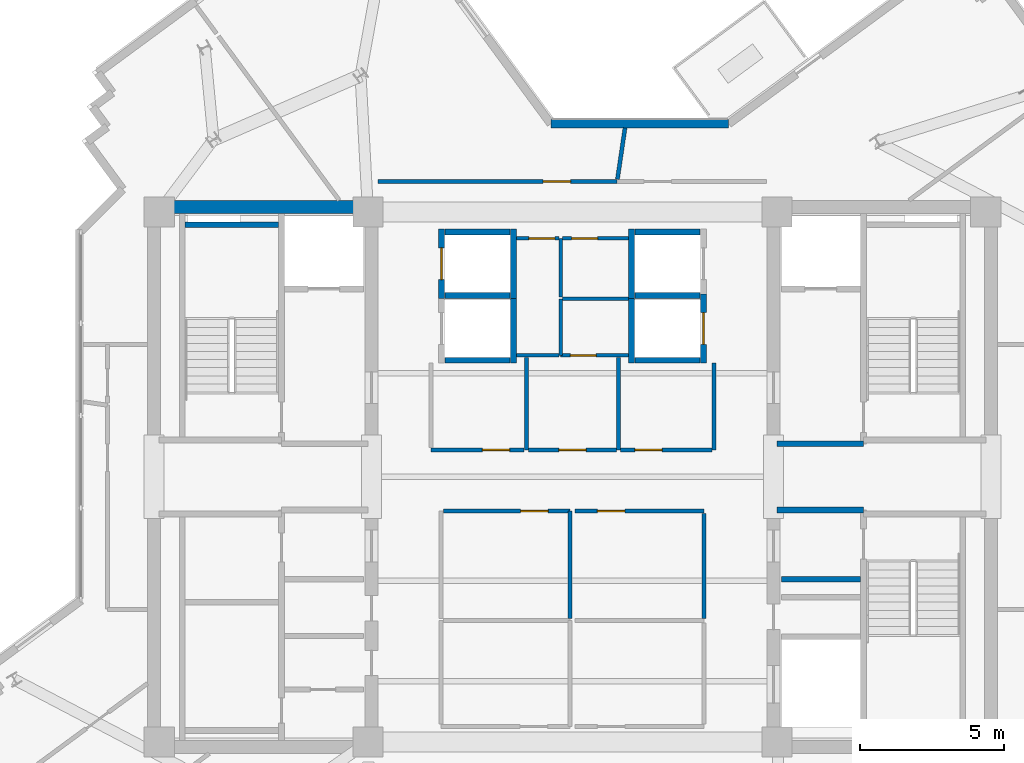
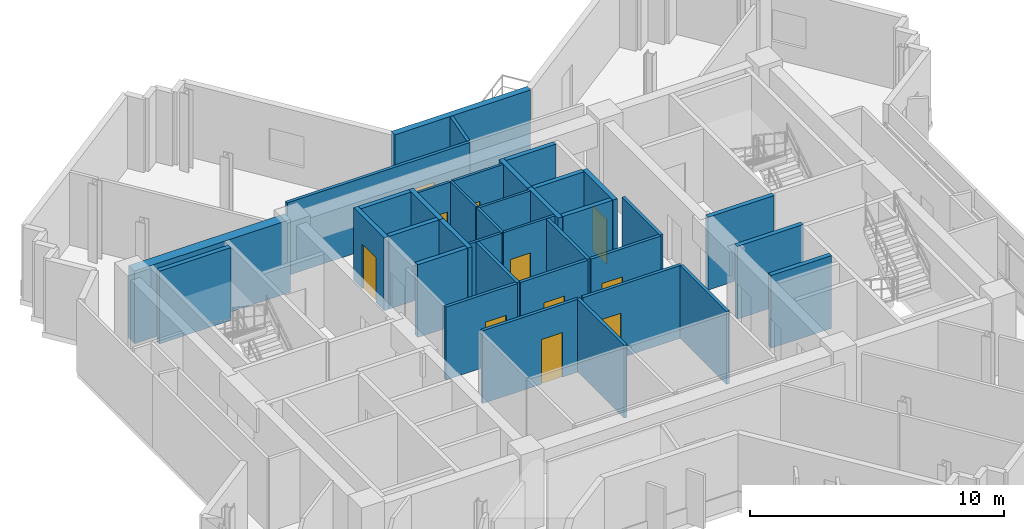
# One storey, part 8 of 13: 37 walls, 11 doors, 11 openings.
"""IFC4 building model written with IfcOpenShell, lengths in metres."""

from ifc_helpers import new_model, si_unit, direction, frame, frame_2d, origin, place, context, subcontext, project, spatial, rectangle, extrude, source, transform, mapped, material, layer, layer_set, type_object, element, fill, save


model = new_model("IFC4")

# Units and contexts
model_context = context("Model", 3, precision=1e-05, world=origin(), true_north=direction((0.0, 1.0)))
body_context = subcontext(model_context, "Body", "Model", "MODEL_VIEW")
ifc_project = project(units=[si_unit("LENGTHUNIT", "METRE"), si_unit("AREAUNIT", "SQUARE_METRE"), si_unit("VOLUMEUNIT", "CUBIC_METRE"), si_unit("PLANEANGLEUNIT", "RADIAN"), si_unit("MASSUNIT", "GRAM", prefix="KILO")], contexts=[model_context])

# Site, building, storey
site_placement = place(None, origin())
site = spatial("IfcSite", under=ifc_project, at=site_placement, CompositionType="ELEMENT")
building_placement = place(site_placement, origin())
building = spatial("IfcBuilding", under=site, at=building_placement, Name="Zahravan Cultural Tower", CompositionType="ELEMENT")
storey_placement = place(building_placement, frame((0.0, 0.0, 272.85009765625)))
storey = spatial("IfcBuildingStorey", under=building, at=storey_placement, Name="L65", CompositionType="ELEMENT", Elevation=272.85009765625)

# Wall, opening, door
ifc_material_1 = material(Name="Gypsum plasterboard partition")
ifc_layer_1 = layer(ifc_material_1, 0.139892578125)
ifc_layer_set_1 = layer_set([ifc_layer_1], Name="Gypsum plasterboard partition")
wall_type_1 = type_object("IfcWallType", Name="W-PART-140", PredefinedType="PARTITIONING", material=ifc_layer_set_1)
wall_1_placement = place(storey_placement, frame((37.52490234375, 27.93994140625, 0.0), z_axis=(0.0, 0.0, 1.0), x_axis=(-1.0, 0.0, 0.0)))
wall_1 = element("IfcWall", 1, at=wall_1_placement, inside=storey, type_object=wall_type_1, Name="L65 Interior Wall 053", PredefinedType="PARTITIONING", context=body_context, shape_type="SweptSolid", body=[
    extrude(rectangle(XDim=3.0498046875, YDim=0.139892578125, at=frame_2d((1.52490234375, 0.0))), origin(), (0.0, 0.0, 1.0), 3.5),
])
opening_1_placement = place(wall_1_placement, frame((1.050048828125, 0.0, 0.0)))
opening_1 = element("IfcOpeningElement", 2, at=opening_1_placement, cuts=wall_1, Name="Opening D-L65-21", PredefinedType="OPENING", context=body_context, shape_type="SweptSolid", body=[
    extrude(rectangle(XDim=0.949951171875, YDim=2.14990234375, at=frame_2d((0.47509765625, 1.074951171875))), frame((0.0, 0.079833984375, 0.0), z_axis=(0.0, -1.0, 0.0), x_axis=(1.0, 0.0, 0.0)), (0.0, 0.0, 1.0), 0.159912109375),
])
ifc_material_2 = material(Name="Anodised bronze-aluminium mullion", Category="aluminium")
door_type_1 = type_object("IfcDoorType", Name="DR-ROOM-950", OperationType="NOTDEFINED", PredefinedType="DOOR", material=ifc_material_2)
shared_shape_1 = source(origin(), body_context, "Body", "SweptSolid", [
    extrude(rectangle(XDim=0.949951171875, YDim=2.14990234375, at=frame_2d((0.47509765625, 1.074951171875))), frame((0.0, 0.02490234375, 0.0), z_axis=(0.0, -1.0, 0.0), x_axis=(1.0, 0.0, 0.0)), (0.0, 0.0, 1.0), 0.050048828125),
])
door_1_placement = place(opening_1_placement, origin())
door_1 = element("IfcDoor", 3, at=door_1_placement, inside=storey, type_object=door_type_1, Name="L65 Door D-L65-21", OperationType="SINGLE_SWING_RIGHT", OverallHeight=2.14990234375, OverallWidth=0.949951171875, PredefinedType="DOOR", context=body_context, shape_type="MappedRepresentation", body=[
    mapped(shared_shape_1, transform((0.0, 0.0, 0.0), x_axis=(1.0, 0.0, 0.0), y_axis=(0.0, 1.0, 0.0), z_axis=(0.0, 0.0, 1.0), scale=1.0)),
])
fill(opening_1, door_1)

wall_2_placement = place(storey_placement, frame((34.324951171875, 27.93994140625, 0.0), z_axis=(0.0, 0.0, 1.0), x_axis=(-1.0, 0.0, 0.0)))
wall_2 = element("IfcWall", 4, at=wall_2_placement, inside=storey, type_object=wall_type_1, Name="L65 Interior Wall 054", PredefinedType="PARTITIONING", context=body_context, shape_type="SweptSolid", body=[
    extrude(rectangle(XDim=3.244873046875, YDim=0.139892578125, at=frame_2d((1.62255859375, 0.0))), origin(), (0.0, 0.0, 1.0), 3.5),
])
opening_2_placement = place(wall_2_placement, frame((0.5048828125, 0.0, 0.0)))
opening_2 = element("IfcOpeningElement", 5, at=opening_2_placement, cuts=wall_2, Name="Opening D-L65-20", PredefinedType="OPENING", context=body_context, shape_type="SweptSolid", body=[
    extrude(rectangle(XDim=0.949951171875, YDim=2.14990234375, at=frame_2d((0.47509765625, 1.074951171875))), frame((0.0, 0.079833984375, 0.0), z_axis=(0.0, -1.0, 0.0), x_axis=(1.0, 0.0, 0.0)), (0.0, 0.0, 1.0), 0.159912109375),
])
door_2_placement = place(opening_2_placement, origin())
door_2 = element("IfcDoor", 6, at=door_2_placement, inside=storey, type_object=door_type_1, Name="L65 Door D-L65-20", OperationType="SINGLE_SWING_LEFT", OverallHeight=2.14990234375, OverallWidth=0.949951171875, PredefinedType="DOOR", context=body_context, shape_type="MappedRepresentation", body=[
    mapped(shared_shape_1, transform((0.0, 0.0, 0.0), x_axis=(1.0, 0.0, 0.0), y_axis=(0.0, 1.0, 0.0), z_axis=(0.0, 0.0, 1.0), scale=1.0)),
])
fill(opening_2, door_2)

wall_3_placement = place(storey_placement, frame((40.844970703125, 27.93994140625, 0.0), z_axis=(0.0, 0.0, 1.0), x_axis=(-1.0, 0.0, 0.0)))
wall_3 = element("IfcWall", 7, at=wall_3_placement, inside=storey, type_object=wall_type_1, Name="L65 Interior Wall 057", PredefinedType="PARTITIONING", context=body_context, shape_type="SweptSolid", body=[
    extrude(rectangle(XDim=3.169921875, YDim=0.139892578125, at=frame_2d((1.5849609375, 0.0))), origin(), (0.0, 0.0, 1.0), 3.5),
])
opening_3_placement = place(wall_3_placement, frame((1.731689453125, 0.0, 0.0)))
opening_3 = element("IfcOpeningElement", 8, at=opening_3_placement, cuts=wall_3, Name="Opening D-L65-22", PredefinedType="OPENING", context=body_context, shape_type="SweptSolid", body=[
    extrude(rectangle(XDim=0.949951171875, YDim=2.14990234375, at=frame_2d((0.47509765625, 1.074951171875))), frame((0.0, 0.079833984375, 0.0), z_axis=(0.0, -1.0, 0.0), x_axis=(1.0, 0.0, 0.0)), (0.0, 0.0, 1.0), 0.159912109375),
])
door_3_placement = place(opening_3_placement, origin())
door_3 = element("IfcDoor", 9, at=door_3_placement, inside=storey, type_object=door_type_1, Name="L65 Door D-L65-22", OperationType="SINGLE_SWING_LEFT", OverallHeight=2.14990234375, OverallWidth=0.949951171875, PredefinedType="DOOR", context=body_context, shape_type="MappedRepresentation", body=[
    mapped(shared_shape_1, transform((0.0, 0.0, 0.0), x_axis=(1.0, 0.0, 0.0), y_axis=(0.0, 1.0, 0.0), z_axis=(0.0, 0.0, 1.0), scale=1.0)),
])
fill(opening_3, door_3)

wall_4_placement = place(storey_placement, frame((31.514892578125, 25.81005859375, 0.0), z_axis=(0.0, 0.0, 1.0), x_axis=(1.0, 0.0, 0.0)))
wall_4 = element("IfcWall", 10, at=wall_4_placement, inside=storey, type_object=wall_type_1, Name="L65 Interior Wall 066", PredefinedType="PARTITIONING", context=body_context, shape_type="SweptSolid", body=[
    extrude(rectangle(XDim=4.39501953125, YDim=0.139892578125, at=frame_2d((2.197509765625, 0.0))), origin(), (0.0, 0.0, 1.0), 3.5),
])
opening_4_placement = place(wall_4_placement, frame((2.68701171875, 0.0, 0.0)))
opening_4 = element("IfcOpeningElement", 11, at=opening_4_placement, cuts=wall_4, Name="Opening D-L65-15", PredefinedType="OPENING", context=body_context, shape_type="SweptSolid", body=[
    extrude(rectangle(XDim=0.949951171875, YDim=2.14990234375, at=frame_2d((0.47509765625, 1.074951171875))), frame((0.0, 0.079833984375, 0.0), z_axis=(0.0, -1.0, 0.0), x_axis=(1.0, 0.0, 0.0)), (0.0, 0.0, 1.0), 0.159912109375),
])
door_4_placement = place(opening_4_placement, origin())
door_4 = element("IfcDoor", 12, at=door_4_placement, inside=storey, type_object=door_type_1, Name="L65 Door D-L65-15", OperationType="SINGLE_SWING_RIGHT", OverallHeight=2.14990234375, OverallWidth=0.949951171875, PredefinedType="DOOR", context=body_context, shape_type="MappedRepresentation", body=[
    mapped(shared_shape_1, transform((0.0, 0.0, 0.0), x_axis=(1.0, 0.0, 0.0), y_axis=(0.0, 1.0, 0.0), z_axis=(0.0, 0.0, 1.0), scale=1.0)),
])
fill(opening_4, door_4)

wall_5_placement = place(storey_placement, frame((36.090087890625, 25.81005859375, 0.0), z_axis=(0.0, 0.0, 1.0), x_axis=(1.0, 0.0, 0.0)))
wall_5 = element("IfcWall", 13, at=wall_5_placement, inside=storey, type_object=wall_type_1, Name="L65 Interior Wall 068", PredefinedType="PARTITIONING", context=body_context, shape_type="SweptSolid", body=[
    extrude(rectangle(XDim=4.469970703125, YDim=0.139892578125, at=frame_2d((2.23486328125, 0.0))), origin(), (0.0, 0.0, 1.0), 3.5),
])
opening_5_placement = place(wall_5_placement, frame((0.7744140625, 0.0, 0.0)))
opening_5 = element("IfcOpeningElement", 14, at=opening_5_placement, cuts=wall_5, Name="Opening D-L65-17", PredefinedType="OPENING", context=body_context, shape_type="SweptSolid", body=[
    extrude(rectangle(XDim=0.949951171875, YDim=2.14990234375, at=frame_2d((0.47509765625, 1.074951171875))), frame((0.0, 0.079833984375, 0.0), z_axis=(0.0, -1.0, 0.0), x_axis=(1.0, 0.0, 0.0)), (0.0, 0.0, 1.0), 0.159912109375),
])
door_5_placement = place(opening_5_placement, origin())
door_5 = element("IfcDoor", 15, at=door_5_placement, inside=storey, type_object=door_type_1, Name="L65 Door D-L65-17", OperationType="SINGLE_SWING_RIGHT", OverallHeight=2.14990234375, OverallWidth=0.949951171875, PredefinedType="DOOR", context=body_context, shape_type="MappedRepresentation", body=[
    mapped(shared_shape_1, transform((0.0, 0.0, 0.0), x_axis=(1.0, 0.0, 0.0), y_axis=(0.0, 1.0, 0.0), z_axis=(0.0, 0.0, 1.0), scale=1.0)),
])
fill(opening_5, door_5)

wall_6_placement = place(storey_placement, frame((37.55029296875, 37.260009765625, 0.0), z_axis=(0.0, 0.0, 1.0), x_axis=(-0.999999998268, -5.8852956e-05, 0.0)))
wall_6 = element("IfcWall", 16, at=wall_6_placement, inside=storey, type_object=wall_type_1, Name="L65 Interior Wall 103", PredefinedType="PARTITIONING", context=body_context, shape_type="SweptSolid", body=[
    extrude(rectangle(XDim=8.296630859375, YDim=0.139892578125, at=frame_2d((4.1484375, 0.0))), origin(), (0.0, 0.0, 1.0), 3.5),
])
opening_6_placement = place(wall_6_placement, frame((1.6162109375, 0.0, 0.0)))
opening_6 = element("IfcOpeningElement", 17, at=opening_6_placement, cuts=wall_6, Name="Opening D-L65-25", PredefinedType="OPENING", context=body_context, shape_type="SweptSolid", body=[
    extrude(rectangle(XDim=0.949951171875, YDim=2.14990234375, at=frame_2d((0.47509765625, 1.074951171875))), frame((0.0, 0.079833984375, 0.0), z_axis=(0.0, -1.0, 0.0), x_axis=(1.0, 0.0, 0.0)), (0.0, 0.0, 1.0), 0.159912109375),
])
door_6_placement = place(opening_6_placement, origin())
door_6 = element("IfcDoor", 18, at=door_6_placement, inside=storey, type_object=door_type_1, Name="L65 Door D-L65-25", OperationType="SINGLE_SWING_RIGHT", OverallHeight=2.14990234375, OverallWidth=0.949951171875, PredefinedType="DOOR", context=body_context, shape_type="MappedRepresentation", body=[
    mapped(shared_shape_1, transform((0.0, 0.0, 0.0), x_axis=(1.0, 0.0, 0.0), y_axis=(0.0, 1.0, 0.0), z_axis=(0.0, 0.0, 1.0), scale=1.0)),
])
fill(opening_6, door_6)

ifc_material_3 = material(Name="Concrete C45/55", Category="concrete")
ifc_layer_2 = layer(ifc_material_3, 0.199951171875)
ifc_layer_set_2 = layer_set([ifc_layer_2], Name="Concrete C45/55")
wall_type_2 = type_object("IfcWallType", Name="W-SHAFT-200", PredefinedType="SOLIDWALL", material=ifc_layer_set_2)
wall_7_placement = place(storey_placement, frame((31.449951171875, 33.199951171875, 0.0), z_axis=(0.0, 0.0, 1.0), x_axis=(0.0, 1.0, 0.0)))
wall_7 = element("IfcWall", 19, at=wall_7_placement, inside=storey, type_object=wall_type_2, Name="L65 Interior Wall 030", PredefinedType="SOLIDWALL", context=body_context, shape_type="SweptSolid", body=[
    extrude(rectangle(XDim=2.400146484375, YDim=0.199951171875, at=frame_2d((1.2001953125, 0.0))), origin(), (0.0, 0.0, 1.0), 3.5),
])
opening_7_placement = place(wall_7_placement, frame((0.64990234375, 0.0, 0.0)))
opening_7 = element("IfcOpeningElement", 20, at=opening_7_placement, cuts=wall_7, Name="Opening LD-L65-04", PredefinedType="OPENING", context=body_context, shape_type="SweptSolid", body=[
    extrude(rectangle(XDim=1.10009765625, YDim=2.14990234375, at=frame_2d((0.550048828125, 1.074951171875))), frame((0.0, 0.10986328125, 0.0), z_axis=(0.0, -1.0, 0.0), x_axis=(1.0, 0.0, 0.0)), (0.0, 0.0, 1.0), 0.219970703125),
])
ifc_material_4 = material(Name="Steel ASTM A572 Grade 50", Category="steel")
door_type_2 = type_object("IfcDoorType", Name="DR-LIFT-1100", OperationType="DOUBLE_DOOR_SLIDING", PredefinedType="DOOR", material=ifc_material_4)
shared_shape_2 = source(origin(), body_context, "Body", "SweptSolid", [
    extrude(rectangle(XDim=1.10009765625, YDim=2.14990234375, at=frame_2d((0.550048828125, 1.074951171875))), frame((0.0, 0.02490234375, 0.0), z_axis=(0.0, -1.0, 0.0), x_axis=(1.0, 0.0, 0.0)), (0.0, 0.0, 1.0), 0.050048828125),
])
door_7_placement = place(opening_7_placement, origin())
door_7 = element("IfcDoor", 21, at=door_7_placement, inside=storey, type_object=door_type_2, Name="L65 Door LD-L65-04", OperationType="DOUBLE_DOOR_SLIDING", OverallHeight=2.14990234375, OverallWidth=1.10009765625, PredefinedType="DOOR", context=body_context, shape_type="MappedRepresentation", body=[
    mapped(shared_shape_2, transform((0.0, 0.0, 0.0), x_axis=(1.0, 0.0, 0.0), y_axis=(0.0, 1.0, 0.0), z_axis=(0.0, 0.0, 1.0), scale=1.0)),
])
fill(opening_7, door_7)

wall_8_placement = place(storey_placement, frame((40.550048828125, 30.949951171875, 0.0), z_axis=(0.0, 0.0, 1.0), x_axis=(0.0, 1.0, 0.0)))
wall_8 = element("IfcWall", 22, at=wall_8_placement, inside=storey, type_object=wall_type_2, Name="L65 Interior Wall 042", PredefinedType="SOLIDWALL", context=body_context, shape_type="SweptSolid", body=[
    extrude(rectangle(XDim=2.400146484375, YDim=0.199951171875, at=frame_2d((1.2001953125, 0.0))), origin(), (0.0, 0.0, 1.0), 3.5),
])
opening_8_placement = place(wall_8_placement, frame((0.64990234375, 0.0, 0.0)))
opening_8 = element("IfcOpeningElement", 23, at=opening_8_placement, cuts=wall_8, Name="Opening LD-L65-07", PredefinedType="OPENING", context=body_context, shape_type="SweptSolid", body=[
    extrude(rectangle(XDim=1.10009765625, YDim=2.14990234375, at=frame_2d((0.550048828125, 1.074951171875))), frame((0.0, 0.10986328125, 0.0), z_axis=(0.0, -1.0, 0.0), x_axis=(1.0, 0.0, 0.0)), (0.0, 0.0, 1.0), 0.219970703125),
])
door_8_placement = place(opening_8_placement, origin())
door_8 = element("IfcDoor", 24, at=door_8_placement, inside=storey, type_object=door_type_2, Name="L65 Door LD-L65-07", OperationType="DOUBLE_DOOR_SLIDING", OverallHeight=2.14990234375, OverallWidth=1.10009765625, PredefinedType="DOOR", context=body_context, shape_type="MappedRepresentation", body=[
    mapped(shared_shape_2, transform((0.0, 0.0, 0.0), x_axis=(1.0, 0.0, 0.0), y_axis=(0.0, 1.0, 0.0), z_axis=(0.0, 0.0, 1.0), scale=1.0)),
])
fill(opening_8, door_8)

ifc_layer_3 = layer(ifc_material_1, 0.114990234375)
ifc_layer_set_3 = layer_set([ifc_layer_3], Name="Gypsum plasterboard partition")
wall_type_3 = type_object("IfcWallType", Name="W-WC-115", PredefinedType="PARTITIONING", material=ifc_layer_set_3)
wall_9_placement = place(storey_placement, frame((37.945068359375, 31.219970703125, 0.0), z_axis=(0.0, 0.0, 1.0), x_axis=(-1.0, 0.0, 0.0)))
wall_9 = element("IfcWall", 25, at=wall_9_placement, inside=storey, type_object=wall_type_3, Name="L65 Interior Wall 044", PredefinedType="PARTITIONING", context=body_context, shape_type="SweptSolid", body=[
    extrude(rectangle(XDim=2.35498046875, YDim=0.114990234375, at=frame_2d((1.177490234375, 0.0))), origin(), (0.0, 0.0, 1.0), 3.5),
])
opening_9_placement = place(wall_9_placement, frame((1.120849609375, 0.0, 0.0)))
opening_9 = element("IfcOpeningElement", 26, at=opening_9_placement, cuts=wall_9, Name="Opening D-L65-32", PredefinedType="OPENING", context=body_context, shape_type="SweptSolid", body=[
    extrude(rectangle(XDim=0.89990234375, YDim=2.10009765625, at=frame_2d((0.449951171875, 1.050048828125))), frame((0.0, 0.0673828125, 0.0), z_axis=(0.0, -1.0, 0.0), x_axis=(1.0, 0.0, 0.0)), (0.0, 0.0, 1.0), 0.135009765625),
])
door_type_3 = type_object("IfcDoorType", Name="DR-WC-900", OperationType="NOTDEFINED", PredefinedType="DOOR", material=ifc_material_2)
shared_shape_3 = source(origin(), body_context, "Body", "SweptSolid", [
    extrude(rectangle(XDim=0.89990234375, YDim=2.10009765625, at=frame_2d((0.449951171875, 1.050048828125))), frame((0.0, 0.02490234375, 0.0), z_axis=(0.0, -1.0, 0.0), x_axis=(1.0, 0.0, 0.0)), (0.0, 0.0, 1.0), 0.050048828125),
])
door_9_placement = place(opening_9_placement, origin())
door_9 = element("IfcDoor", 27, at=door_9_placement, inside=storey, type_object=door_type_3, Name="L65 Door D-L65-32", OperationType="SINGLE_SWING_LEFT", OverallHeight=2.10009765625, OverallWidth=0.89990234375, PredefinedType="DOOR", context=body_context, shape_type="MappedRepresentation", body=[
    mapped(shared_shape_3, transform((0.0, 0.0, 0.0), x_axis=(1.0, 0.0, 0.0), y_axis=(0.0, 1.0, 0.0), z_axis=(0.0, 0.0, 1.0), scale=1.0)),
])
fill(opening_9, door_9)

wall_10_placement = place(storey_placement, frame((35.652587890625, 35.280029296875, 0.0), z_axis=(0.0, 0.0, 1.0), x_axis=(1.0, 0.0, 0.0)))
wall_10 = element("IfcWall", 28, at=wall_10_placement, inside=storey, type_object=wall_type_3, Name="L65 Interior Wall 048", PredefinedType="PARTITIONING", context=body_context, shape_type="SweptSolid", body=[
    extrude(rectangle(XDim=2.29248046875, YDim=0.114990234375, at=frame_2d((1.146240234375, 0.0))), origin(), (0.0, 0.0, 1.0), 3.5),
])
opening_10_placement = place(wall_10_placement, frame((0.3203125, 0.0, 0.0)))
opening_10 = element("IfcOpeningElement", 29, at=opening_10_placement, cuts=wall_10, Name="Opening D-L65-19", PredefinedType="OPENING", context=body_context, shape_type="SweptSolid", body=[
    extrude(rectangle(XDim=0.89990234375, YDim=2.10009765625, at=frame_2d((0.449951171875, 1.050048828125))), frame((0.0, 0.0673828125, 0.0), z_axis=(0.0, -1.0, 0.0), x_axis=(1.0, 0.0, 0.0)), (0.0, 0.0, 1.0), 0.135009765625),
])
door_10_placement = place(opening_10_placement, origin())
door_10 = element("IfcDoor", 30, at=door_10_placement, inside=storey, type_object=door_type_3, Name="L65 Door D-L65-19", OperationType="SINGLE_SWING_RIGHT", OverallHeight=2.10009765625, OverallWidth=0.89990234375, PredefinedType="DOOR", context=body_context, shape_type="MappedRepresentation", body=[
    mapped(shared_shape_3, transform((0.0, 0.0, 0.0), x_axis=(1.0, 0.0, 0.0), y_axis=(0.0, 1.0, 0.0), z_axis=(0.0, 0.0, 1.0), scale=1.0)),
])
fill(opening_10, door_10)

wall_11_placement = place(storey_placement, frame((34.054931640625, 35.280029296875, 0.0), z_axis=(0.0, 0.0, 1.0), x_axis=(1.0, 0.0, 0.0)))
wall_11 = element("IfcWall", 31, at=wall_11_placement, inside=storey, type_object=wall_type_3, Name="L65 Interior Wall 050", PredefinedType="PARTITIONING", context=body_context, shape_type="SweptSolid", body=[
    extrude(rectangle(XDim=1.47265625, YDim=0.114990234375, at=frame_2d((0.736328125, 0.0))), origin(), (0.0, 0.0, 1.0), 3.5),
])
opening_11_placement = place(wall_11_placement, frame((0.4326171875, 0.0, 0.0)))
opening_11 = element("IfcOpeningElement", 32, at=opening_11_placement, cuts=wall_11, Name="Opening D-L65-18", PredefinedType="OPENING", context=body_context, shape_type="SweptSolid", body=[
    extrude(rectangle(XDim=0.89990234375, YDim=2.10009765625, at=frame_2d((0.449951171875, 1.050048828125))), frame((0.0, 0.0673828125, 0.0), z_axis=(0.0, -1.0, 0.0), x_axis=(1.0, 0.0, 0.0)), (0.0, 0.0, 1.0), 0.135009765625),
])
door_11_placement = place(opening_11_placement, origin())
door_11 = element("IfcDoor", 33, at=door_11_placement, inside=storey, type_object=door_type_3, Name="L65 Door D-L65-18", OperationType="SINGLE_SWING_LEFT", OverallHeight=2.10009765625, OverallWidth=0.89990234375, PredefinedType="DOOR", context=body_context, shape_type="MappedRepresentation", body=[
    mapped(shared_shape_3, transform((0.0, 0.0, 0.0), x_axis=(1.0, 0.0, 0.0), y_axis=(0.0, 1.0, 0.0), z_axis=(0.0, 0.0, 1.0), scale=1.0)),
])
fill(opening_11, door_11)

# Walls
ifc_material_5 = material(Name="Concrete C50/60", Category="concrete")
ifc_layer_4 = layer(ifc_material_5, 0.449951171875)
ifc_layer_set_4 = layer_set([ifc_layer_4], Name="Concrete C50/60")
wall_type_4 = type_object("IfcWallType", Name="CW-SHEAR-450-C50", PredefinedType="SHEAR", material=ifc_layer_set_4)
shared_shape_4 = source(origin(), body_context, "Body", "SweptSolid", [
    extrude(rectangle(XDim=7.10009765625, YDim=0.449951171875, at=frame_2d((3.550048828125, 0.0))), origin(), (0.0, 0.0, 1.0), 3.5),
])
wall_12_placement = place(storey_placement, frame((21.699951171875, 36.375, 0.0), z_axis=(0.0, 0.0, 1.0), x_axis=(1.0, 0.0, 0.0)))
element("IfcWall", 34, at=wall_12_placement, inside=storey, type_object=wall_type_4, Name="L65 Core Shear Wall CW-W-N-L65", PredefinedType="SHEAR", context=body_context, shape_type="MappedRepresentation", body=[
    mapped(shared_shape_4, transform((0.0, 0.0, 0.0), x_axis=(1.0, 0.0, 0.0), y_axis=(0.0, 1.0, 0.0), z_axis=(0.0, 0.0, 1.0), scale=1.0)),
])
ifc_material_6 = material(Name="Precast concrete C40/50", Category="concrete")
ifc_layer_5 = layer(ifc_material_6, 0.280029296875)
ifc_layer_set_5 = layer_set([ifc_layer_5], Name="Precast concrete C40/50")
wall_type_5 = type_object("IfcWallType", Name="EW-TC-280", PredefinedType="SOLIDWALL", material=ifc_layer_set_5)
shared_shape_5 = source(origin(), body_context, "Body", "SweptSolid", [
    extrude(rectangle(XDim=6.176513671875, YDim=0.280029296875, at=frame_2d((3.08837890625, 0.0))), origin(), (0.0, 0.0, 1.0), 3.5),
])
wall_13_placement = place(storey_placement, frame((35.24658203125, 39.260009765625, 0.0), z_axis=(0.0, 0.0, 1.0), x_axis=(1.0, 0.0, 0.0)))
element("IfcWall", 35, at=wall_13_placement, inside=storey, type_object=wall_type_5, Name="L65 Exterior Masonry Frame Wall 48", PredefinedType="SOLIDWALL", context=body_context, shape_type="MappedRepresentation", body=[
    mapped(shared_shape_5, transform((0.0, 0.0, 0.0), x_axis=(1.0, 0.0, 0.0), y_axis=(0.0, 1.0, 0.0), z_axis=(0.0, 0.0, 1.0), scale=1.0)),
])
shared_shape_6 = source(origin(), body_context, "Body", "SweptSolid", [
    extrude(rectangle(XDim=3.0, YDim=0.199951171875, at=frame_2d((1.5, 0.0))), origin(), (0.0, 0.0, 1.0), 3.5),
])
for number, where, z_axis, x_axis, name in (
    (36, (43.10009765625, 25.85009765625, 0.0), (0.0, 0.0, 1.0), (1.0, 0.0, 0.0), "L65 Interior Wall 013"),
    (37, (43.10009765625, 28.14990234375, 0.0), (0.0, 0.0, 1.0), (1.0, 0.0, 0.0), "L65 Interior Wall 015"),
):
    element("IfcWall", number, at=place(storey_placement, frame(where, z_axis=z_axis, x_axis=x_axis)), inside=storey, type_object=wall_type_2, Name=name, PredefinedType="SOLIDWALL", context=body_context, shape_type="MappedRepresentation", body=[
        mapped(shared_shape_6, transform((0.0, 0.0, 0.0), x_axis=(1.0, 0.0, 0.0), y_axis=(0.0, 1.0, 0.0), z_axis=(0.0, 0.0, 1.0), scale=1.0)),
    ])
shared_shape_7 = source(origin(), body_context, "Body", "SweptSolid", [
    extrude(rectangle(XDim=3.25, YDim=0.199951171875, at=frame_2d((1.625, 0.0))), origin(), (0.0, 0.0, 1.0), 3.5),
])
wall_14_placement = place(storey_placement, frame((22.550048828125, 35.75, 0.0), z_axis=(0.0, 0.0, 1.0), x_axis=(1.0, 0.0, 0.0)))
element("IfcWall", 38, at=wall_14_placement, inside=storey, type_object=wall_type_2, Name="L65 Interior Wall 017", PredefinedType="SOLIDWALL", context=body_context, shape_type="MappedRepresentation", body=[
    mapped(shared_shape_7, transform((0.0, 0.0, 0.0), x_axis=(1.0, 0.0, 0.0), y_axis=(0.0, 1.0, 0.0), z_axis=(0.0, 0.0, 1.0), scale=1.0)),
])
shared_shape_8 = source(origin(), body_context, "Body", "SweptSolid", [
    extrude(rectangle(XDim=2.75, YDim=0.199951171875, at=frame_2d((1.375, 0.0))), origin(), (0.0, 0.0, 1.0), 3.5),
])
wall_15_placement = place(storey_placement, frame((43.25, 23.449951171875, 0.0), z_axis=(0.0, 0.0, 1.0), x_axis=(1.0, 0.0, 0.0)))
element("IfcWall", 39, at=wall_15_placement, inside=storey, type_object=wall_type_2, Name="L65 Interior Wall 025", PredefinedType="SOLIDWALL", context=body_context, shape_type="MappedRepresentation", body=[
    mapped(shared_shape_8, transform((0.0, 0.0, 0.0), x_axis=(1.0, 0.0, 0.0), y_axis=(0.0, 1.0, 0.0), z_axis=(0.0, 0.0, 1.0), scale=1.0)),
])
shared_shape_9 = source(origin(), body_context, "Body", "SweptSolid", [
    extrude(rectangle(XDim=2.400146484375, YDim=0.199951171875, at=frame_2d((1.2001953125, 0.0))), origin(), (0.0, 0.0, 1.0), 3.5),
])
for number, where, z_axis, x_axis, name in (
    (40, (33.949951171875, 33.199951171875, 0.0), (0.0, 0.0, 1.0), (0.0, 1.0, 0.0), "L65 Interior Wall 031"),
    (41, (33.949951171875, 30.949951171875, 0.0), (0.0, 0.0, 1.0), (0.0, 1.0, 0.0), "L65 Interior Wall 035"),
    (42, (38.050048828125, 33.199951171875, 0.0), (0.0, 0.0, 1.0), (0.0, 1.0, 0.0), "L65 Interior Wall 037"),
    (43, (38.050048828125, 30.949951171875, 0.0), (0.0, 0.0, 1.0), (0.0, 1.0, 0.0), "L65 Interior Wall 041"),
):
    element("IfcWall", number, at=place(storey_placement, frame(where, z_axis=z_axis, x_axis=x_axis)), inside=storey, type_object=wall_type_2, Name=name, PredefinedType="SOLIDWALL", context=body_context, shape_type="MappedRepresentation", body=[
        mapped(shared_shape_9, transform((0.0, 0.0, 0.0), x_axis=(1.0, 0.0, 0.0), y_axis=(0.0, 1.0, 0.0), z_axis=(0.0, 0.0, 1.0), scale=1.0)),
    ])
shared_shape_10 = source(origin(), body_context, "Body", "SweptSolid", [
    extrude(rectangle(XDim=2.260009765625, YDim=0.199951171875, at=frame_2d((1.1298828125, 0.0))), origin(), (0.0, 0.0, 1.0), 3.5),
])
for number, where, z_axis, x_axis, name in (
    (44, (31.570068359375, 33.300048828125, 0.0), (0.0, 0.0, 1.0), (1.0, 0.0, 0.0), "L65 Interior Wall 032"),
    (45, (31.570068359375, 35.5, 0.0), (0.0, 0.0, 1.0), (1.0, 0.0, 0.0), "L65 Interior Wall 033"),
    (46, (31.570068359375, 31.050048828125, 0.0), (0.0, 0.0, 1.0), (1.0, 0.0, 0.0), "L65 Interior Wall 036"),
    (47, (38.169921875, 33.300048828125, 0.0), (0.0, 0.0, 1.0), (1.0, 0.0, 0.0), "L65 Interior Wall 039"),
    (48, (38.169921875, 35.5, 0.0), (0.0, 0.0, 1.0), (1.0, 0.0, 0.0), "L65 Interior Wall 040"),
    (49, (38.169921875, 31.050048828125, 0.0), (0.0, 0.0, 1.0), (1.0, 0.0, 0.0), "L65 Interior Wall 043"),
):
    element("IfcWall", number, at=place(storey_placement, frame(where, z_axis=z_axis, x_axis=x_axis)), inside=storey, type_object=wall_type_2, Name=name, PredefinedType="SOLIDWALL", context=body_context, shape_type="MappedRepresentation", body=[
        mapped(shared_shape_10, transform((0.0, 0.0, 0.0), x_axis=(1.0, 0.0, 0.0), y_axis=(0.0, 1.0, 0.0), z_axis=(0.0, 0.0, 1.0), scale=1.0)),
    ])
shared_shape_11 = source(origin(), body_context, "Body", "SweptSolid", [
    extrude(rectangle(XDim=1.9599609375, YDim=0.114990234375, at=frame_2d((0.97998046875, 0.0))), origin(), (0.0, 0.0, 1.0), 3.5),
])
wall_16_placement = place(storey_placement, frame((35.590087890625, 31.219970703125, 0.0), z_axis=(0.0, 0.0, 1.0), x_axis=(0.0, 1.0, 0.0)))
element("IfcWall", 50, at=wall_16_placement, inside=storey, type_object=wall_type_3, Name="L65 Interior Wall 045", PredefinedType="PARTITIONING", context=body_context, shape_type="MappedRepresentation", body=[
    mapped(shared_shape_11, transform((0.0, 0.0, 0.0), x_axis=(1.0, 0.0, 0.0), y_axis=(0.0, 1.0, 0.0), z_axis=(0.0, 0.0, 1.0), scale=1.0)),
])
shared_shape_12 = source(origin(), body_context, "Body", "SweptSolid", [
    extrude(rectangle(XDim=2.29248046875, YDim=0.114990234375, at=frame_2d((1.146240234375, 0.0))), origin(), (0.0, 0.0, 1.0), 3.5),
])
wall_17_placement = place(storey_placement, frame((35.652587890625, 33.179931640625, 0.0), z_axis=(0.0, 0.0, 1.0), x_axis=(1.0, 0.0, 0.0)))
element("IfcWall", 51, at=wall_17_placement, inside=storey, type_object=wall_type_3, Name="L65 Interior Wall 046", PredefinedType="PARTITIONING", context=body_context, shape_type="MappedRepresentation", body=[
    mapped(shared_shape_12, transform((0.0, 0.0, 0.0), x_axis=(1.0, 0.0, 0.0), y_axis=(0.0, 1.0, 0.0), z_axis=(0.0, 0.0, 1.0), scale=1.0)),
])
shared_shape_13 = source(origin(), body_context, "Body", "SweptSolid", [
    extrude(rectangle(XDim=2.0400390625, YDim=0.114990234375, at=frame_2d((1.02001953125, 0.0))), origin(), (0.0, 0.0, 1.0), 3.5),
])
wall_18_placement = place(storey_placement, frame((35.590087890625, 33.239990234375, 0.0), z_axis=(0.0, 0.0, 1.0), x_axis=(0.0, 1.0, 0.0)))
element("IfcWall", 52, at=wall_18_placement, inside=storey, type_object=wall_type_3, Name="L65 Interior Wall 047", PredefinedType="PARTITIONING", context=body_context, shape_type="MappedRepresentation", body=[
    mapped(shared_shape_13, transform((0.0, 0.0, 0.0), x_axis=(1.0, 0.0, 0.0), y_axis=(0.0, 1.0, 0.0), z_axis=(0.0, 0.0, 1.0), scale=1.0)),
])
shared_shape_14 = source(origin(), body_context, "Body", "SweptSolid", [
    extrude(rectangle(XDim=1.47265625, YDim=0.114990234375, at=frame_2d((0.736328125, 0.0))), origin(), (0.0, 0.0, 1.0), 3.5),
])
wall_19_placement = place(storey_placement, frame((35.527587890625, 31.219970703125, 0.0), z_axis=(0.0, 0.0, 1.0), x_axis=(-1.0, 0.0, 0.0)))
element("IfcWall", 53, at=wall_19_placement, inside=storey, type_object=wall_type_3, Name="L65 Interior Wall 049", PredefinedType="PARTITIONING", context=body_context, shape_type="MappedRepresentation", body=[
    mapped(shared_shape_14, transform((0.0, 0.0, 0.0), x_axis=(1.0, 0.0, 0.0), y_axis=(0.0, 1.0, 0.0), z_axis=(0.0, 0.0, 1.0), scale=1.0)),
])
shared_shape_15 = source(origin(), body_context, "Body", "SweptSolid", [
    extrude(rectangle(XDim=3.010009765625, YDim=0.139892578125, at=frame_2d((1.5048828125, 0.0))), origin(), (0.0, 0.0, 1.0), 3.5),
])
wall_20_placement = place(storey_placement, frame((40.919921875, 30.949951171875, 0.0), z_axis=(0.0, 0.0, 1.0), x_axis=(0.0, -1.0, 0.0)))
element("IfcWall", 54, at=wall_20_placement, inside=storey, type_object=wall_type_1, Name="L65 Interior Wall 056", PredefinedType="PARTITIONING", context=body_context, shape_type="MappedRepresentation", body=[
    mapped(shared_shape_15, transform((0.0, 0.0, 0.0), x_axis=(1.0, 0.0, 0.0), y_axis=(0.0, 1.0, 0.0), z_axis=(0.0, 0.0, 1.0), scale=1.0)),
])
shared_shape_16 = source(origin(), body_context, "Body", "SweptSolid", [
    extrude(rectangle(XDim=3.199951171875, YDim=0.139892578125, at=frame_2d((1.60009765625, 0.0))), origin(), (0.0, 0.0, 1.0), 3.5),
])
for number, where, z_axis, x_axis, name in (
    (55, (34.39990234375, 27.93994140625, 0.0), (0.0, 0.0, 1.0), (0.0, 1.0, 0.0), "L65 Interior Wall 051"),
    (56, (37.60009765625, 31.139892578125, 0.0), (0.0, 0.0, 1.0), (0.0, -1.0, 0.0), "L65 Interior Wall 052"),
):
    element("IfcWall", number, at=place(storey_placement, frame(where, z_axis=z_axis, x_axis=x_axis)), inside=storey, type_object=wall_type_1, Name=name, PredefinedType="PARTITIONING", context=body_context, shape_type="MappedRepresentation", body=[
        mapped(shared_shape_16, transform((0.0, 0.0, 0.0), x_axis=(1.0, 0.0, 0.0), y_axis=(0.0, 1.0, 0.0), z_axis=(0.0, 0.0, 1.0), scale=1.0)),
    ])
shared_shape_17 = source(origin(), body_context, "Body", "SweptSolid", [
    extrude(rectangle(XDim=3.719970703125, YDim=0.139892578125, at=frame_2d((1.85986328125, 0.0))), origin(), (0.0, 0.0, 1.0), 3.5),
])
wall_21_placement = place(storey_placement, frame((35.909912109375, 25.81005859375, 0.0), z_axis=(0.0, 0.0, 1.0), x_axis=(0.0, -1.0, 0.0)))
element("IfcWall", 57, at=wall_21_placement, inside=storey, type_object=wall_type_1, Name="L65 Interior Wall 067", PredefinedType="PARTITIONING", context=body_context, shape_type="MappedRepresentation", body=[
    mapped(shared_shape_17, transform((0.0, 0.0, 0.0), x_axis=(1.0, 0.0, 0.0), y_axis=(0.0, 1.0, 0.0), z_axis=(0.0, 0.0, 1.0), scale=1.0)),
])
shared_shape_18 = source(origin(), body_context, "Body", "SweptSolid", [
    extrude(rectangle(XDim=3.64501953125, YDim=0.139892578125, at=frame_2d((1.822509765625, 0.0))), origin(), (0.0, 0.0, 1.0), 3.5),
])
wall_22_placement = place(storey_placement, frame((40.56005859375, 25.735107421875, 0.0), z_axis=(0.0, 0.0, 1.0), x_axis=(0.0, -1.0, 0.0)))
element("IfcWall", 58, at=wall_22_placement, inside=storey, type_object=wall_type_1, Name="L65 Interior Wall 069", PredefinedType="PARTITIONING", context=body_context, shape_type="MappedRepresentation", body=[
    mapped(shared_shape_18, transform((0.0, 0.0, 0.0), x_axis=(1.0, 0.0, 0.0), y_axis=(0.0, 1.0, 0.0), z_axis=(0.0, 0.0, 1.0), scale=1.0)),
])
shared_shape_19 = source(origin(), body_context, "Body", "SweptSolid", [
    extrude(rectangle(XDim=1.79931640625, YDim=0.139892578125, at=frame_2d((0.899658203125, 0.0))), origin(), (0.0, 0.0, 1.0), 3.5),
])
wall_23_placement = place(storey_placement, frame((37.561279296875, 37.3349609375, 0.0), z_axis=(0.0, 0.0, 1.0), x_axis=(0.14573227875, 0.989324063657, 0.0)))
element("IfcWall", 59, at=wall_23_placement, inside=storey, type_object=wall_type_1, Name="L65 Interior Wall 102", PredefinedType="PARTITIONING", context=body_context, shape_type="MappedRepresentation", body=[
    mapped(shared_shape_19, transform((0.0, 0.0, 0.0), x_axis=(1.0, 0.0, 0.0), y_axis=(0.0, 1.0, 0.0), z_axis=(0.0, 0.0, 1.0), scale=1.0)),
])

save(model, "model.ifc")
